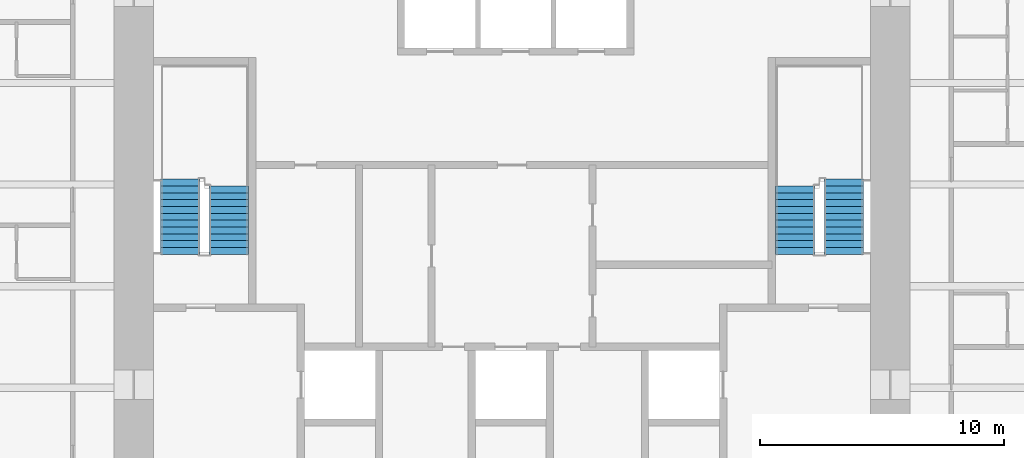
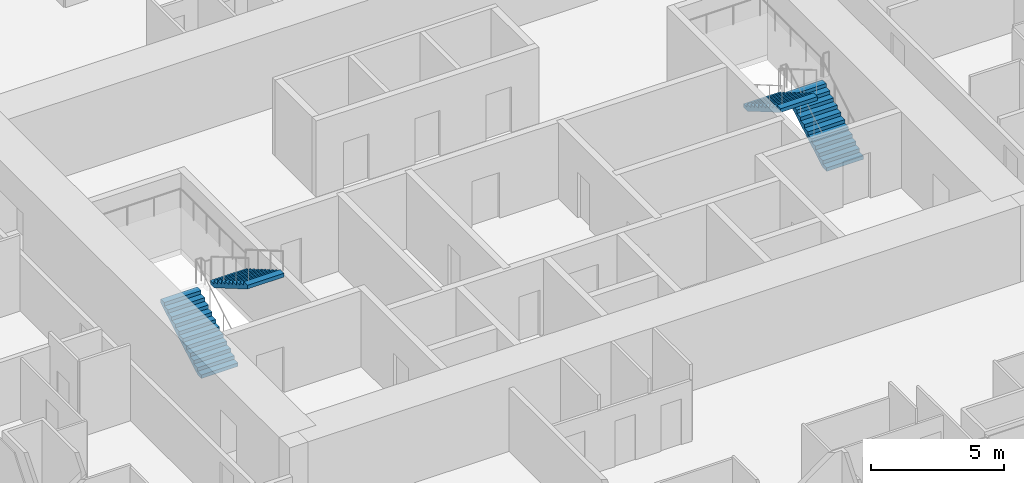
# One storey, part 12 of 13: 4 stair flights, 2 elements without a shape of their own.
"""IFC4 building model written with IfcOpenShell, lengths in metres."""

from ifc_helpers import new_model, si_unit, direction, frame, origin, place, context, subcontext, project, spatial, polyline, outline, extrude, material, type_object, element, aggregate, save


model = new_model("IFC4")

# Units and contexts
model_context = context("Model", 3, precision=1e-05, world=origin(), true_north=direction((0.0, 1.0)))
body_context = subcontext(model_context, "Body", "Model", "MODEL_VIEW")
ifc_project = project(units=[si_unit("LENGTHUNIT", "METRE"), si_unit("AREAUNIT", "SQUARE_METRE"), si_unit("VOLUMEUNIT", "CUBIC_METRE"), si_unit("PLANEANGLEUNIT", "RADIAN"), si_unit("MASSUNIT", "GRAM", prefix="KILO")], contexts=[model_context])

# Site, building, storey
site_placement = place(None, origin())
site = spatial("IfcSite", under=ifc_project, at=site_placement, CompositionType="ELEMENT")
building_placement = place(site_placement, origin())
building = spatial("IfcBuilding", under=site, at=building_placement, Name="Khuree Lantern Residences", CompositionType="ELEMENT")
storey_placement = place(building_placement, frame((0.0, 0.0, 267.0)))
storey = spatial("IfcBuildingStorey", under=building, at=storey_placement, Name="L67", CompositionType="ELEMENT", Elevation=267.0)

# Stair, stair flights
ifc_material = material(Name="Concrete C40/50", Category="concrete")
stair_type = type_object("IfcStairType", Name="STAIR ST1 HALF TURN 3600", PredefinedType="HALF_TURN_STAIR", material=ifc_material)
stair_1_placement = place(storey_placement, origin())
stair_1 = element("IfcStair", 1, at=stair_1_placement, inside=storey, type_object=stair_type, Name="Stair ST1", PredefinedType="HALF_TURN_STAIR")
stair_flight_type = type_object("IfcStairFlightType", Name="STAIR FLIGHT SF1 1600", PredefinedType="STRAIGHT", material=ifc_material)
stair_flight_1_placement = place(storey_placement, frame((-13.60009765625, -2.860107421875, 0.0), z_axis=(0.0, 0.0, 1.0), x_axis=(0.0, 1.0, 0.0)))
stair_flight_1 = element("IfcStairFlight", 2, at=stair_flight_1_placement, type_object=stair_flight_type, Name="ST1 flight 1", NumberOfRisers=12, NumberOfTreads=11, PredefinedType="STRAIGHT", RiserHeight=0.163043478, TreadLength=0.28, context=body_context, shape_type="SweptSolid", body=[
    extrude(outline(polyline([(0.0, 0.0), (0.0, 0.1630859375), (0.280029296875, 0.1630859375), (0.280029296875, 0.326171875), (0.56005859375, 0.326171875), (0.56005859375, 0.489013671875), (0.840087890625, 0.489013671875), (0.840087890625, 0.652099609375), (1.1201171875, 0.652099609375), (1.1201171875, 0.815185546875), (1.39990234375, 0.815185546875), (1.39990234375, 0.978271484375), (1.679931640625, 0.978271484375), (1.679931640625, 1.141357421875), (1.9599609375, 1.141357421875), (1.9599609375, 1.304443359375), (2.239990234375, 1.304443359375), (2.239990234375, 1.46728515625), (2.52001953125, 1.46728515625), (2.52001953125, 1.63037109375), (2.800048828125, 1.63037109375), (2.800048828125, 1.79345703125), (3.080078125, 1.79345703125), (3.080078125, 1.95654296875), (3.080078125, 1.6201171875), (0.2978515625, 0.0), (0.0, 0.0)])), frame((0.0, 0.800048828125, 0.0), z_axis=(0.0, -1.0, 0.0), x_axis=(1.0, 0.0, 0.0)), (0.0, 0.0, 1.0), 1.60009765625),
])
stair_flight_2_placement = place(storey_placement, frame((-11.60009765625, -0.06005859375, 1.95654296875), z_axis=(0.0, 0.0, 1.0), x_axis=(0.0, -1.0, 0.0)))
stair_flight_2 = element("IfcStairFlight", 3, at=stair_flight_2_placement, type_object=stair_flight_type, Name="ST1 flight 2", NumberOfRisers=11, NumberOfTreads=10, PredefinedType="STRAIGHT", RiserHeight=0.163043478, TreadLength=0.28, context=body_context, shape_type="SweptSolid", body=[
    extrude(outline(polyline([(0.0, 0.0), (0.0, 0.1630859375), (0.280029296875, 0.1630859375), (0.280029296875, 0.326171875), (0.56005859375, 0.326171875), (0.56005859375, 0.489013671875), (0.840087890625, 0.489013671875), (0.840087890625, 0.652099609375), (1.1201171875, 0.652099609375), (1.1201171875, 0.815185546875), (1.39990234375, 0.815185546875), (1.39990234375, 0.978271484375), (1.679931640625, 0.978271484375), (1.679931640625, 1.141357421875), (1.9599609375, 1.141357421875), (1.9599609375, 1.304443359375), (2.239990234375, 1.304443359375), (2.239990234375, 1.46728515625), (2.52001953125, 1.46728515625), (2.52001953125, 1.63037109375), (2.800048828125, 1.63037109375), (2.800048828125, 1.79345703125), (2.800048828125, 1.45703125), (0.2978515625, 0.0), (0.0, 0.0)])), frame((0.0, 0.800048828125, 0.0), z_axis=(0.0, -1.0, 0.0), x_axis=(1.0, 0.0, 0.0)), (0.0, 0.0, 1.0), 1.60009765625),
])
aggregate(stair_1, [stair_flight_1, stair_flight_2])

stair_2_placement = place(storey_placement, origin())
stair_2 = element("IfcStair", 4, at=stair_2_placement, inside=storey, type_object=stair_type, Name="Stair ST2", PredefinedType="HALF_TURN_STAIR")
stair_flight_3_placement = place(storey_placement, frame((13.60009765625, -2.860107421875, 0.0), z_axis=(0.0, 0.0, 1.0), x_axis=(0.0, 1.0, 0.0)))
stair_flight_3 = element("IfcStairFlight", 5, at=stair_flight_3_placement, type_object=stair_flight_type, Name="ST2 flight 1", NumberOfRisers=12, NumberOfTreads=11, PredefinedType="STRAIGHT", RiserHeight=0.163043478, TreadLength=0.28, context=body_context, shape_type="SweptSolid", body=[
    extrude(outline(polyline([(0.0, 0.0), (0.0, 0.1630859375), (0.280029296875, 0.1630859375), (0.280029296875, 0.326171875), (0.56005859375, 0.326171875), (0.56005859375, 0.489013671875), (0.840087890625, 0.489013671875), (0.840087890625, 0.652099609375), (1.1201171875, 0.652099609375), (1.1201171875, 0.815185546875), (1.39990234375, 0.815185546875), (1.39990234375, 0.978271484375), (1.679931640625, 0.978271484375), (1.679931640625, 1.141357421875), (1.9599609375, 1.141357421875), (1.9599609375, 1.304443359375), (2.239990234375, 1.304443359375), (2.239990234375, 1.46728515625), (2.52001953125, 1.46728515625), (2.52001953125, 1.63037109375), (2.800048828125, 1.63037109375), (2.800048828125, 1.79345703125), (3.080078125, 1.79345703125), (3.080078125, 1.95654296875), (3.080078125, 1.6201171875), (0.2978515625, 0.0), (0.0, 0.0)])), frame((0.0, 0.800048828125, 0.0), z_axis=(0.0, -1.0, 0.0), x_axis=(1.0, 0.0, 0.0)), (0.0, 0.0, 1.0), 1.60009765625),
])
stair_flight_4_placement = place(storey_placement, frame((11.60009765625, -0.06005859375, 1.95654296875), z_axis=(0.0, 0.0, 1.0), x_axis=(0.0, -1.0, 0.0)))
stair_flight_4 = element("IfcStairFlight", 6, at=stair_flight_4_placement, type_object=stair_flight_type, Name="ST2 flight 2", NumberOfRisers=11, NumberOfTreads=10, PredefinedType="STRAIGHT", RiserHeight=0.163043478, TreadLength=0.28, context=body_context, shape_type="SweptSolid", body=[
    extrude(outline(polyline([(0.0, 0.0), (0.0, 0.1630859375), (0.280029296875, 0.1630859375), (0.280029296875, 0.326171875), (0.56005859375, 0.326171875), (0.56005859375, 0.489013671875), (0.840087890625, 0.489013671875), (0.840087890625, 0.652099609375), (1.1201171875, 0.652099609375), (1.1201171875, 0.815185546875), (1.39990234375, 0.815185546875), (1.39990234375, 0.978271484375), (1.679931640625, 0.978271484375), (1.679931640625, 1.141357421875), (1.9599609375, 1.141357421875), (1.9599609375, 1.304443359375), (2.239990234375, 1.304443359375), (2.239990234375, 1.46728515625), (2.52001953125, 1.46728515625), (2.52001953125, 1.63037109375), (2.800048828125, 1.63037109375), (2.800048828125, 1.79345703125), (2.800048828125, 1.45703125), (0.2978515625, 0.0), (0.0, 0.0)])), frame((0.0, 0.800048828125, 0.0), z_axis=(0.0, -1.0, 0.0), x_axis=(1.0, 0.0, 0.0)), (0.0, 0.0, 1.0), 1.60009765625),
])
aggregate(stair_2, [stair_flight_3, stair_flight_4])

save(model, "model.ifc")
